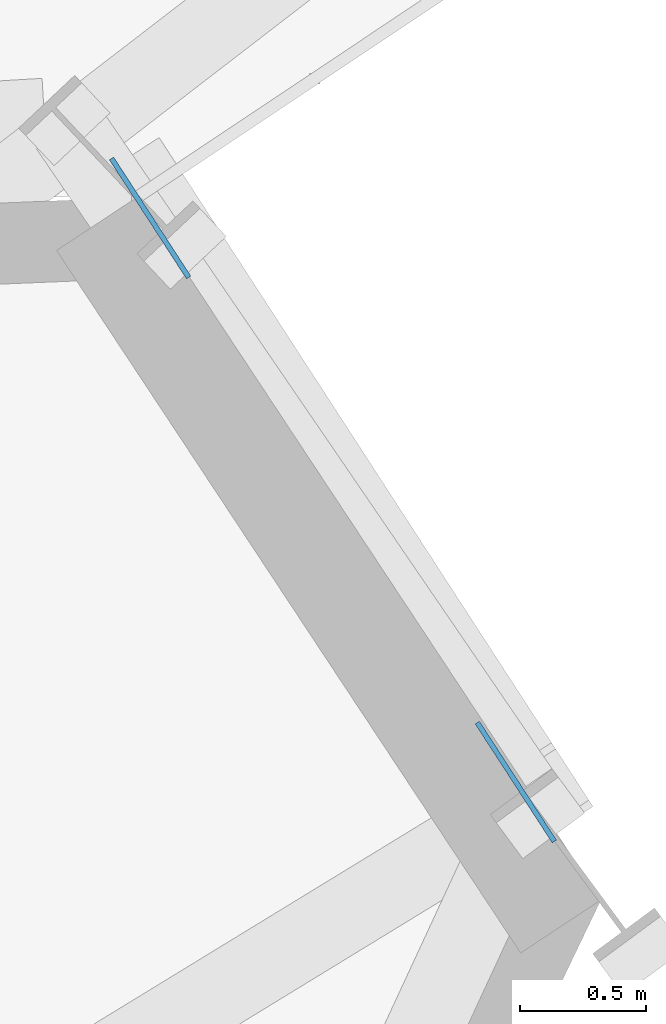
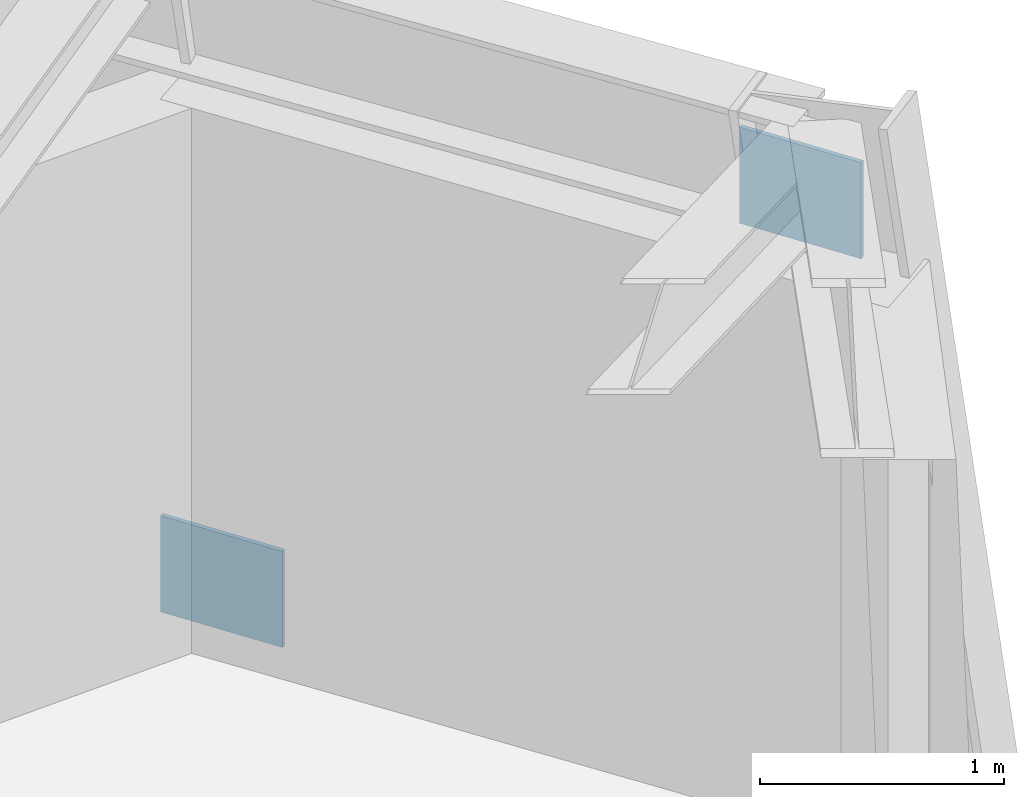
# One storey, part 7 of 13: 2 plates.
"""IFC4 building model written with IfcOpenShell, lengths in metres."""

from ifc_helpers import new_model, si_unit, direction, frame, origin, origin_2d, place, context, subcontext, project, spatial, rectangle, extrude, source, transform, mapped, material, type_object, element, save


model = new_model("IFC4")

# Units and contexts
model_context = context("Model", 3, precision=1e-05, world=origin(), true_north=direction((0.0, 1.0)))
body_context = subcontext(model_context, "Body", "Model", "MODEL_VIEW")
ifc_project = project(units=[si_unit("LENGTHUNIT", "METRE"), si_unit("AREAUNIT", "SQUARE_METRE"), si_unit("VOLUMEUNIT", "CUBIC_METRE"), si_unit("PLANEANGLEUNIT", "RADIAN"), si_unit("MASSUNIT", "GRAM", prefix="KILO")], contexts=[model_context])

# Site, building, storey
site_placement = place(None, origin())
site = spatial("IfcSite", under=ifc_project, at=site_placement, CompositionType="ELEMENT")
building_placement = place(site_placement, origin())
building = spatial("IfcBuilding", under=site, at=building_placement, Name="Olszyna Solenne Hotel", CompositionType="ELEMENT")
storey_placement = place(building_placement, frame((0.0, 0.0, 171.449951171875)))
storey = spatial("IfcBuildingStorey", under=building, at=storey_placement, Name="L45", CompositionType="ELEMENT", Elevation=171.449951171875)

# Plates
ifc_material = material(Name="Steel S355J2", Category="steel")
plate_type = type_object("IfcPlateType", Name="GP-ND2", PredefinedType="USERDEFINED", material=ifc_material)
shared_shape = source(origin(), body_context, "Body", "SweptSolid", [
    extrude(rectangle(XDim=0.56005859375, YDim=0.02001953125, at=origin_2d()), origin(), (0.0, 0.0, 1.0), 0.47998046875),
])
for number, where, z_axis, x_axis, name in (
    (1, (61.46630859375, 44.169189453125, -0.128662109375), (0.0, 0.0, 1.0), (0.544053399827, -0.839050593311, 0.0), "Brace end connection gusset plate GP-ND2 EP-BR-L45-1-1"),
    (2, (62.912353515625, 41.93896484375, 2.65869140625), (0.0, 0.0, 1.0), (0.544053399827, -0.839050593311, 0.0), "Brace end connection gusset plate GP-ND2 EP-BR-L45-1-2"),
):
    element("IfcPlate", number, at=place(storey_placement, frame(where, z_axis=z_axis, x_axis=x_axis)), inside=storey, type_object=plate_type, Name=name, ObjectType="GUSSET_PLATE", PredefinedType="USERDEFINED", context=body_context, shape_type="MappedRepresentation", body=[
        mapped(shared_shape, transform((0.0, 0.0, 0.0), x_axis=(1.0, 0.0, 0.0), y_axis=(0.0, 1.0, 0.0), z_axis=(0.0, 0.0, 1.0), scale=1.0)),
    ])

save(model, "model.ifc")
